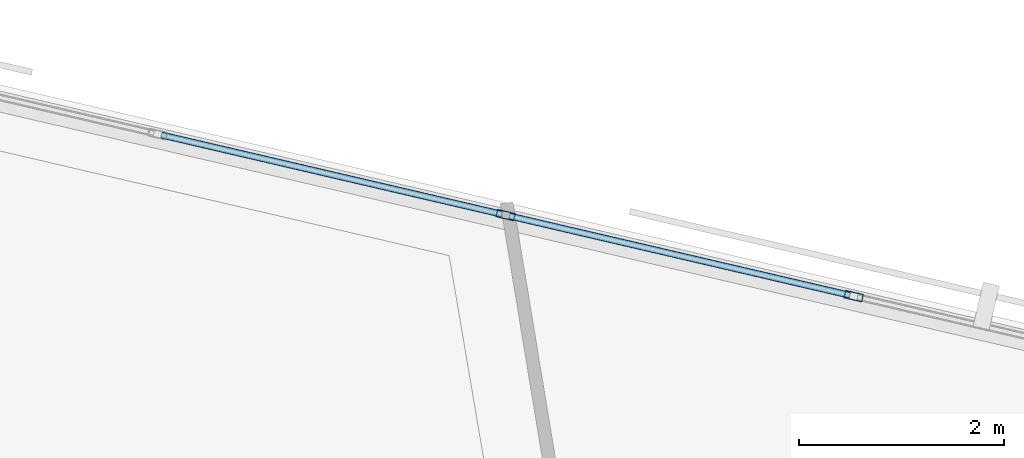
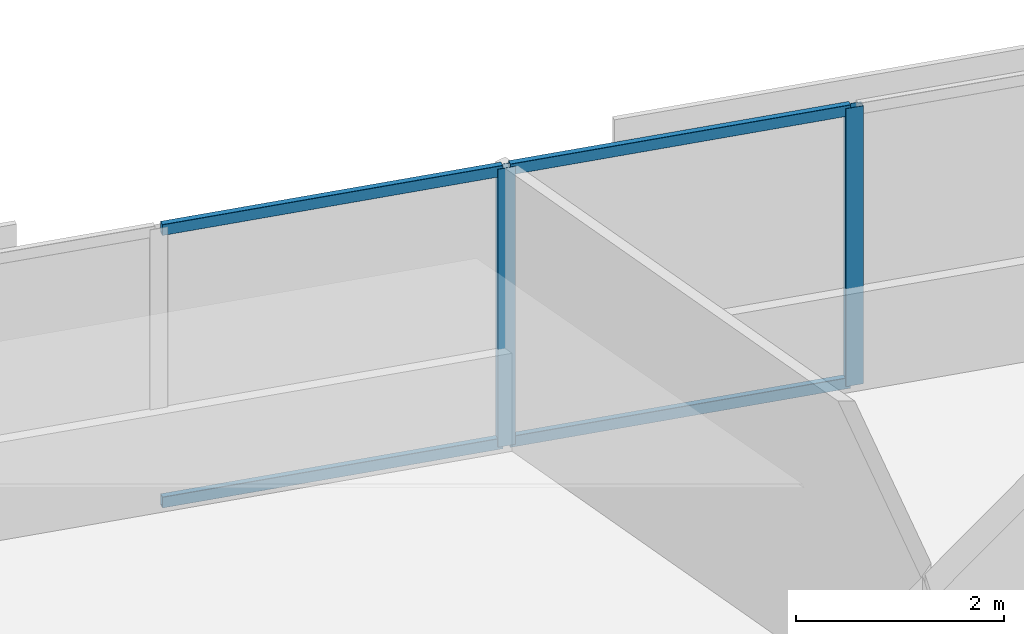
# One storey, part 7 of 14: 6 members, 1 element without a shape of its own.
"""IFC4 building model written with IfcOpenShell, lengths in metres."""

from ifc_helpers import new_model, si_unit, direction, frame, origin, origin_2d, place, context, subcontext, project, spatial, hollow_rectangle, extrude, material, material_profile, profile_set, type_object, element, aggregate, save


model = new_model("IFC4")

# Units and contexts
model_context = context("Model", 3, precision=1e-05, world=origin(), true_north=direction((0.0, 1.0)))
body_context = subcontext(model_context, "Body", "Model", "MODEL_VIEW")
ifc_project = project(units=[si_unit("LENGTHUNIT", "METRE"), si_unit("AREAUNIT", "SQUARE_METRE"), si_unit("VOLUMEUNIT", "CUBIC_METRE"), si_unit("PLANEANGLEUNIT", "RADIAN"), si_unit("MASSUNIT", "GRAM", prefix="KILO")], contexts=[model_context])

# Site, building, storey
site_placement = place(None, origin())
site = spatial("IfcSite", under=ifc_project, at=site_placement, CompositionType="ELEMENT")
building_placement = place(site_placement, origin())
building = spatial("IfcBuilding", under=site, at=building_placement, Name="Narakoshi Arena Tower", CompositionType="ELEMENT")
storey_placement = place(building_placement, frame((0.0, 0.0, 182.6201171875)))
storey = spatial("IfcBuildingStorey", under=building, at=storey_placement, Name="L49", CompositionType="ELEMENT", Elevation=182.6201171875)

# Curtain wall, members
ifc_material = material(Name="Anodised bronze aluminium 6063-T6", Category="aluminium")
curtain_wall_type = type_object("IfcCurtainWallType", Name="CW-HYP-MID", PredefinedType="NOTDEFINED", material=ifc_material)
curtain_wall_placement = place(storey_placement, origin())
curtain_wall = element("IfcCurtainWall", 1, at=curtain_wall_placement, inside=storey, type_object=curtain_wall_type, Name="L49 Folded Hypotenuse Curtain Wall 2-1", PredefinedType="NOTDEFINED")
ifc_material_profile_1 = material_profile(ifc_material, hollow_rectangle(XDim=0.074951171875, YDim=0.179931640625, WallThickness=0.00390625, OuterFilletRadius=0.0048828125, at=origin_2d()), Name="MUL180x75x4")
ifc_profile_set_1 = profile_set([ifc_material_profile_1], Name="Anodised bronze aluminium 6063-T6")
member_type_1 = type_object("IfcMemberType", Name="MEM-MUL-180", PredefinedType="MULLION", material=ifc_profile_set_1)
member_1_placement = place(storey_placement, frame((78.911376953125, 64.4443359375, 0.0), z_axis=(0.0, 0.0, 1.0), x_axis=(-0.226721182724, -0.973959704148, 0.0)))
member_1 = element("IfcMember", 2, at=member_1_placement, type_object=member_type_1, Name="CW-02 mullion 3", PredefinedType="MULLION", context=body_context, shape_type="SweptSolid", body=[
    extrude(hollow_rectangle(XDim=0.074951171875, YDim=0.179931640625, WallThickness=0.00390625, OuterFilletRadius=0.0048828125, at=origin_2d()), origin(), (0.0, 0.0, 1.0), 3.259765625),
])
member_2_placement = place(storey_placement, frame((75.510498046875, 65.236083984375, 0.0), z_axis=(0.0, 0.0, 1.0), x_axis=(-0.226721182724, -0.973959704148, 0.0)))
member_2 = element("IfcMember", 3, at=member_2_placement, type_object=member_type_1, Name="CW-02 mullion 4", PredefinedType="MULLION", context=body_context, shape_type="SweptSolid", body=[
    extrude(hollow_rectangle(XDim=0.074951171875, YDim=0.179931640625, WallThickness=0.00390625, OuterFilletRadius=0.0048828125, at=origin_2d()), origin(), (0.0, 0.0, 1.0), 3.259765625),
])
ifc_material_profile_2 = material_profile(ifc_material, hollow_rectangle(XDim=0.06494140625, YDim=0.1298828125, WallThickness=0.00390625, OuterFilletRadius=0.0048828125, at=origin_2d()), Name="TRN130x65x4")
ifc_profile_set_2 = profile_set([ifc_material_profile_2], Name="Anodised bronze aluminium 6063-T6")
member_type_2 = type_object("IfcMemberType", Name="MEM-TRN-130", PredefinedType="USERDEFINED", material=ifc_profile_set_2)
member_3_placement = place(storey_placement, frame((78.874755859375, 64.452880859375, 0.032470703125), z_axis=(-0.973957040336, 0.226732625751, 0.0), x_axis=(-0.226732625751, -0.973957040336, 0.0)))
member_3 = element("IfcMember", 4, at=member_3_placement, type_object=member_type_2, Name="CW-02 transom 3.1", ObjectType="TRANSOM", PredefinedType="USERDEFINED", context=body_context, shape_type="SweptSolid", body=[
    extrude(hollow_rectangle(XDim=0.06494140625, YDim=0.1298828125, WallThickness=0.00390625, OuterFilletRadius=0.0048828125, at=origin_2d()), origin(), (0.0, 0.0, 1.0), 3.41650390625),
])
member_4_placement = place(storey_placement, frame((78.874755859375, 64.452880859375, 3.227294921875), z_axis=(-0.973957040336, 0.226732625751, 0.0), x_axis=(-0.226732625751, -0.973957040336, 0.0)))
member_4 = element("IfcMember", 5, at=member_4_placement, type_object=member_type_2, Name="CW-02 transom 3.2", ObjectType="TRANSOM", PredefinedType="USERDEFINED", context=body_context, shape_type="SweptSolid", body=[
    extrude(hollow_rectangle(XDim=0.06494140625, YDim=0.1298828125, WallThickness=0.00390625, OuterFilletRadius=0.0048828125, at=origin_2d()), origin(), (0.0, 0.0, 1.0), 3.41650390625),
])
member_5_placement = place(storey_placement, frame((75.473876953125, 65.24462890625, 0.032470703125), z_axis=(-0.973957040336, 0.226732625751, 0.0), x_axis=(-0.226732625751, -0.973957040336, 0.0)))
member_5 = element("IfcMember", 6, at=member_5_placement, type_object=member_type_2, Name="CW-02 transom 4.1", ObjectType="TRANSOM", PredefinedType="USERDEFINED", context=body_context, shape_type="SweptSolid", body=[
    extrude(hollow_rectangle(XDim=0.06494140625, YDim=0.1298828125, WallThickness=0.00390625, OuterFilletRadius=0.0048828125, at=origin_2d()), origin(), (0.0, 0.0, 1.0), 3.41650390625),
])
member_6_placement = place(storey_placement, frame((75.473876953125, 65.24462890625, 3.227294921875), z_axis=(-0.973957040336, 0.226732625751, 0.0), x_axis=(-0.226732625751, -0.973957040336, 0.0)))
member_6 = element("IfcMember", 7, at=member_6_placement, type_object=member_type_2, Name="CW-02 transom 4.2", ObjectType="TRANSOM", PredefinedType="USERDEFINED", context=body_context, shape_type="SweptSolid", body=[
    extrude(hollow_rectangle(XDim=0.06494140625, YDim=0.1298828125, WallThickness=0.00390625, OuterFilletRadius=0.0048828125, at=origin_2d()), origin(), (0.0, 0.0, 1.0), 3.41650390625),
])
aggregate(curtain_wall, [member_1, member_2, member_3, member_4, member_5, member_6])

save(model, "model.ifc")
